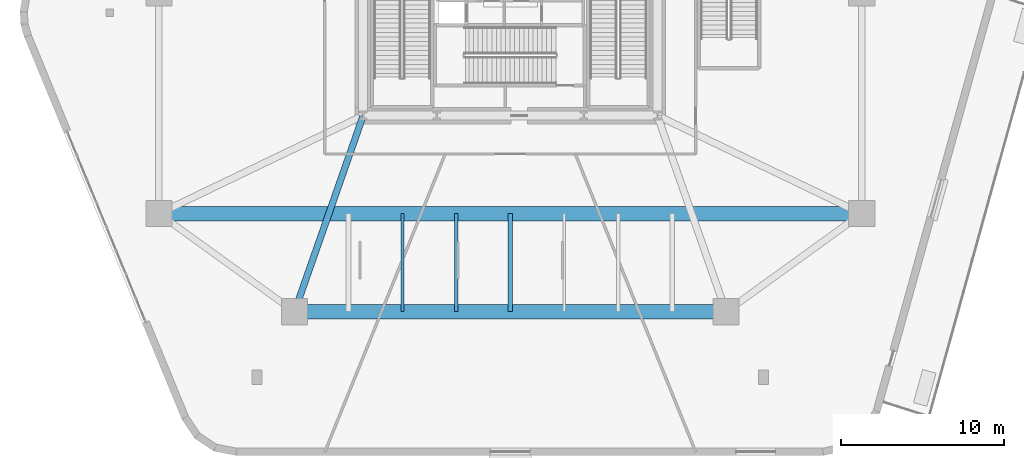
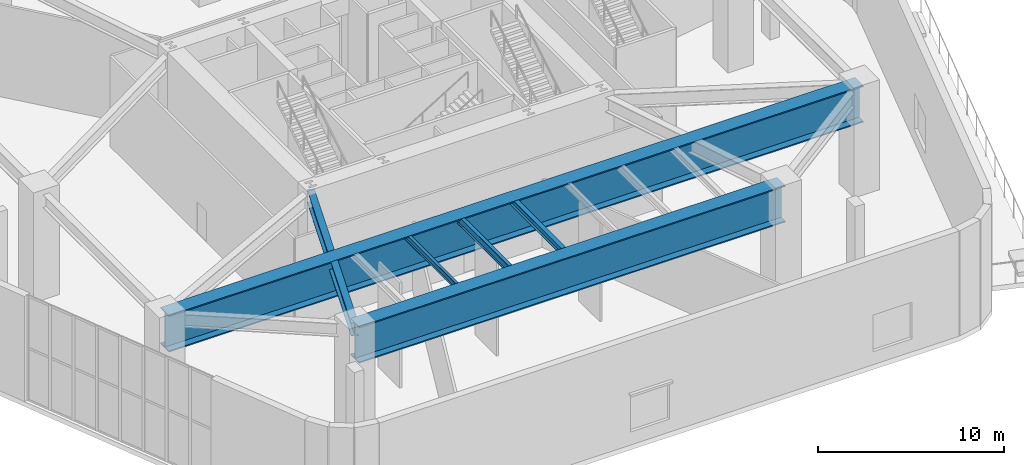
# One storey, part 3 of 17: 6 beams.
"""IFC4 building model written with IfcOpenShell, lengths in metres."""

import ifcopenshell
import ifcopenshell.guid

model = None  # the IFC model being written
_history = None  # IfcOwnerHistory: only IFC2X3 demands one
_inside = {}  # id of a spatial element -> (the spatial element, [elements in it])
_under = {}  # id of a project, library or spatial element -> (it, [spatial elements below it])
_declared = {}  # id of a project -> (the project, [libraries it declares])
_typed = {}  # id of a type object -> (the type object, [elements of that type])
_made_of = {}  # id of a material, layer set ... -> (it, [elements and type objects made of it])


def new_model(schema):
    """Start an empty IFC model of exactly this schema.

    Asked for "IFC4X3", IfcOpenShell would pick the latest addendum, in which some entities
    have other attributes; the version numbers below select the first issue.
    IFC2X3 requires an IfcOwnerHistory on every rooted entity: one is made here for all.
    """
    global model, _history
    if schema == "IFC4X3":
        model = ifcopenshell.file(schema_version=(4, 3, 0, 0))
    else:
        model = ifcopenshell.file(schema=schema)
    _inside.clear()
    _under.clear()
    _declared.clear()
    _typed.clear()
    _made_of.clear()
    _history = None
    if model.schema == "IFC2X3":
        org = make("IfcOrganization", Name="unknown")
        user = make(
            "IfcPersonAndOrganization",
            ThePerson=make("IfcPerson", FamilyName="unknown"),
            TheOrganization=org,
        )
        app = make(
            "IfcApplication",
            ApplicationDeveloper=org,
            Version="unknown",
            ApplicationFullName="unknown",
            ApplicationIdentifier="unknown",
        )
        _history = make(
            "IfcOwnerHistory",
            OwningUser=user,
            OwningApplication=app,
            ChangeAction="ADDED",
            CreationDate=0,
        )
    return model


def make(cls, **values):
    """One entity of the class cls with the attributes given. An attribute that is None is left unset."""
    return model.create_entity(
        cls, **{name: value for name, value in values.items() if value is not None}
    )


def rooted(cls, **values):
    """An entity with a GlobalId (a new one), such as an element, a storey or a relation."""
    return make(cls, GlobalId=ifcopenshell.guid.new(), OwnerHistory=_history, **values)


def si_unit(unit_type, name, prefix=None):
    """IfcSIUnit, for example si_unit("LENGTHUNIT", "METRE", prefix="MILLI")."""
    return make("IfcSIUnit", UnitType=unit_type, Prefix=prefix, Name=name)


def assignment(units):
    """IfcUnitAssignment: the units of a project."""
    return None if units is None else make("IfcUnitAssignment", Units=units)


def point(xyz):
    """IfcCartesianPoint."""
    return None if xyz is None else make("IfcCartesianPoint", Coordinates=xyz)


def direction(xyz):
    """IfcDirection."""
    return None if xyz is None else make("IfcDirection", DirectionRatios=xyz)


def frame(location, z_axis=None, x_axis=None):
    """IfcAxis2Placement3D, a coordinate frame: its origin and axes. An axis left out is left unset."""
    return make(
        "IfcAxis2Placement3D",
        Location=point(location),
        Axis=direction(z_axis),
        RefDirection=direction(x_axis),
    )


def frame_2d(location, x_axis=None):
    """IfcAxis2Placement2D, a coordinate frame in the plane: its origin and x axis."""
    return make(
        "IfcAxis2Placement2D", Location=point(location), RefDirection=direction(x_axis)
    )


def origin():
    """The frame at (0, 0, 0) with its axes left unset."""
    return frame((0.0, 0.0, 0.0))


def origin_2d():
    """The frame at (0, 0) in the plane with its x axis left unset."""
    return frame_2d((0.0, 0.0))


def place(relative_to, where):
    """IfcLocalPlacement: puts the frame where relative to a parent placement (None: the world)."""
    return make(
        "IfcLocalPlacement", PlacementRelTo=relative_to, RelativePlacement=where
    )


def context(
    kind, dimensions, precision=None, world=None, true_north=None, identifier=None
):
    """IfcGeometricRepresentationContext, for example the 3D "Model" context."""
    return make(
        "IfcGeometricRepresentationContext",
        ContextIdentifier=identifier,
        ContextType=kind,
        CoordinateSpaceDimension=dimensions,
        Precision=precision,
        WorldCoordinateSystem=world,
        TrueNorth=true_north,
    )


def subcontext(parent, identifier, kind, view, scale=None):
    """IfcGeometricRepresentationSubContext, for example "Body" below "Model"."""
    return make(
        "IfcGeometricRepresentationSubContext",
        ContextIdentifier=identifier,
        ContextType=kind,
        ParentContext=parent,
        TargetScale=scale,
        TargetView=view,
    )


def project(units=None, contexts=None):
    """IfcProject with its units and contexts."""
    return rooted(
        "IfcProject",
        Name="project",
        RepresentationContexts=contexts,
        UnitsInContext=assignment(units),
    )


def spatial(cls, under=None, at=None, **own):
    """A site, building, storey or space (cls), placed at a placement, below another one or the project."""
    s = rooted(cls, ObjectPlacement=at, **own)
    if under is not None:
        _under.setdefault(under.id(), (under, []))[1].append(s)
    return s


def profile(cls, at=None, kind="AREA", **sizes):
    """A parametric profile (cls). Its sizes go by their IFC names, for example OverallWidth=200.0."""
    return make(cls, ProfileType=kind, Position=at, **sizes)


def i_section(**sizes):
    """IfcIShapeProfileDef."""
    return profile("IfcIShapeProfileDef", **sizes)


def extrude(swept, where, along, depth):
    """IfcExtrudedAreaSolid: the profile swept, set in the frame where, extruded along a direction by depth."""
    return make(
        "IfcExtrudedAreaSolid",
        SweptArea=swept,
        Position=where,
        ExtrudedDirection=direction(along),
        Depth=depth,
    )


def shape(context_of_items, identifier, shape_type, items):
    """IfcShapeRepresentation: the items that make up one representation, for example the "Body"."""
    return make(
        "IfcShapeRepresentation",
        ContextOfItems=context_of_items,
        RepresentationIdentifier=identifier,
        RepresentationType=shape_type,
        Items=items,
    )


def material(Name=None, Category=None):
    """IfcMaterial."""
    return make("IfcMaterial", Name=Name, Category=Category)


def material_profile(
    of_material, cross_section, Name=None, Category=None, Priority=None
):
    """IfcMaterialProfile: a cross section and its material."""
    return make(
        "IfcMaterialProfile",
        Name=Name,
        Material=of_material,
        Profile=cross_section,
        Priority=Priority,
        Category=Category,
    )


def profile_set(profiles, Name=None, composite=None):
    """IfcMaterialProfileSet."""
    return make(
        "IfcMaterialProfileSet",
        Name=Name,
        MaterialProfiles=profiles,
        CompositeProfile=composite,
    )


def made_of(thing, what):
    """Note that an element or type object is made of a material, layer set ...; save() writes the relation."""
    if what is not None:
        _made_of.setdefault(what.id(), (what, []))[1].append(thing)
    return thing


def type_object(cls, material=None, **own):
    """A type object (cls), such as IfcWallType, which elements share."""
    return made_of(rooted(cls, **own), material)


def element(
    cls,
    number,
    at=None,
    inside=None,
    cuts=None,
    type_object=None,
    material=None,
    context=None,
    identifier="Body",
    shape_type=None,
    held_by="IfcProductDefinitionShape",
    body=None,
    shapes=None,
    **own,
):
    """One element of the class cls, such as IfcWall. Its Tag is "e" and its number.

    at: its placement. inside: the storey or other place that contains it. cuts: it is an
    opening in that element (IfcRelVoidsElement). A single representation is given by context,
    identifier, shape_type and body (its items); several are given by shapes. held_by: the class
    of the entity that holds the representations. save() writes the other relations.
    """
    e = rooted(cls, Tag="e%d" % number, ObjectPlacement=at, **own)
    if body is not None:
        shapes = [shape(context, identifier, shape_type, body)]
    if shapes is not None:
        e.Representation = make(held_by, Representations=shapes)
    if inside is not None:
        _inside.setdefault(inside.id(), (inside, []))[1].append(e)
    if cuts is not None:
        rooted(
            "IfcRelVoidsElement", RelatingBuildingElement=cuts, RelatedOpeningElement=e
        )
    if type_object is not None:
        _typed.setdefault(type_object.id(), (type_object, []))[1].append(e)
    return made_of(e, material)


def aggregate(whole, parts):
    """IfcRelAggregates: a whole, such as a stair, and the parts it consists of."""
    return rooted("IfcRelAggregates", RelatingObject=whole, RelatedObjects=parts)


def save(model, path):
    """Write the relations noted so far, then the file.

    IfcRelAggregates (storeys below a building ...), IfcRelContainedInSpatialStructure (elements
    in a storey), IfcRelDefinesByType, IfcRelAssociatesMaterial and IfcRelDeclares: one each for
    every whole, place, type object, material and project.
    """
    for whole, parts in _under.values():
        aggregate(whole, parts)
    for where, things in _inside.values():
        rooted(
            "IfcRelContainedInSpatialStructure",
            RelatedElements=things,
            RelatingStructure=where,
        )
    for kind, things in _typed.values():
        rooted("IfcRelDefinesByType", RelatedObjects=things, RelatingType=kind)
    for what, things in _made_of.values():
        rooted("IfcRelAssociatesMaterial", RelatedObjects=things, RelatingMaterial=what)
    for by, libraries in _declared.values():
        rooted("IfcRelDeclares", RelatingContext=by, RelatedDefinitions=libraries)
    model.write(path)


model = new_model("IFC4")

# Units and contexts
model_context = context("Model", 3, precision=1e-05, world=origin(), true_north=direction((0.0, 1.0)))
body_context = subcontext(model_context, "Body", "Model", "MODEL_VIEW")
ifc_project = project(units=[si_unit("LENGTHUNIT", "METRE"), si_unit("AREAUNIT", "SQUARE_METRE"), si_unit("VOLUMEUNIT", "CUBIC_METRE"), si_unit("PLANEANGLEUNIT", "RADIAN"), si_unit("MASSUNIT", "GRAM", prefix="KILO")], contexts=[model_context])

# Site, building, storey
site_placement = place(None, origin())
site = spatial("IfcSite", under=ifc_project, at=site_placement, CompositionType="ELEMENT")
building_placement = place(site_placement, origin())
building = spatial("IfcBuilding", under=site, at=building_placement, Name="Kilnhurst Terrace Hotel", CompositionType="ELEMENT")
storey_placement = place(building_placement, frame((0.0, 0.0, 11.39990234375)))
storey = spatial("IfcBuildingStorey", under=building, at=storey_placement, Name="L02", CompositionType="ELEMENT", Elevation=11.39990234375)

# Beams
ifc_material_1 = material(Name="Steel ASTM A992 Grade 50", Category="steel")
ifc_material_profile_1 = material_profile(ifc_material_1, i_section(OverallWidth=0.39990234375, OverallDepth=0.85546875, WebThickness=0.018310546875, FlangeThickness=0.029296875, at=origin_2d()), Name="W33X201")
ifc_profile_set_1 = profile_set([ifc_material_profile_1], Name="Steel ASTM A992 Grade 50")
beam_type_1 = type_object("IfcBeamType", Name="BM-STL-W33X201", PredefinedType="BEAM", material=ifc_profile_set_1)
beam_1_placement = place(storey_placement, frame((-13.199951171875, -19.5, 6.4521484375), z_axis=(0.330347003279, 0.943859553866, 0.0), x_axis=(-0.943859553866, 0.330347003279, 0.0)))
element("IfcBeam", 1, at=beam_1_placement, inside=storey, type_object=beam_type_1, Name="L02 Podium Frame Beam 15", PredefinedType="BEAM", context=body_context, shape_type="SweptSolid", body=[
    extrude(i_section(OverallWidth=0.39990234375, OverallDepth=0.85546875, WebThickness=0.018310546875, FlangeThickness=0.029296875, at=origin_2d()), origin(), (0.0, 0.0, 1.0), 12.7138671875),
])
ifc_material_profile_2 = material_profile(ifc_material_1, i_section(OverallWidth=0.180908203125, OverallDepth=0.417236328125, WebThickness=0.010986328125, FlangeThickness=0.018310546875, at=origin_2d()), Name="W16X57")
ifc_profile_set_2 = profile_set([ifc_material_profile_2], Name="Steel ASTM A992 Grade 50")
beam_type_2 = type_object("IfcBeamType", Name="JST-STL-W16X57", PredefinedType="JOIST", material=ifc_profile_set_2)
beam_2_placement = place(storey_placement, frame((-6.60009765625, -19.5, 6.671142578125), z_axis=(0.0, 1.0, 0.0), x_axis=(-1.0, 0.0, 0.0)))
element("IfcBeam", 2, at=beam_2_placement, inside=storey, type_object=beam_type_2, Name="L02 Ballroom Long-Span Secondary Joist 2", PredefinedType="JOIST", context=body_context, shape_type="SweptSolid", body=[
    extrude(i_section(OverallWidth=0.180908203125, OverallDepth=0.417236328125, WebThickness=0.010986328125, FlangeThickness=0.018310546875, at=origin_2d()), origin(), (0.0, 0.0, 1.0), 6.0),
])
ifc_material_profile_3 = material_profile(ifc_material_1, i_section(OverallWidth=0.279296875, OverallDepth=0.462890625, WebThickness=0.0107421875, FlangeThickness=0.017333984375, at=origin_2d()), Name="W18X76")
ifc_profile_set_3 = profile_set([ifc_material_profile_3], Name="Steel ASTM A992 Grade 50")
beam_type_3 = type_object("IfcBeamType", Name="JST-STL-W18X76", PredefinedType="JOIST", material=ifc_profile_set_3)
beam_3_placement = place(storey_placement, frame((0.0, -19.5, 6.648193359375), z_axis=(0.0, 1.0, 0.0), x_axis=(-1.0, 0.0, 0.0)))
element("IfcBeam", 3, at=beam_3_placement, inside=storey, type_object=beam_type_3, Name="L02 Ballroom Long-Span Secondary Joist 4", PredefinedType="JOIST", context=body_context, shape_type="SweptSolid", body=[
    extrude(i_section(OverallWidth=0.279296875, OverallDepth=0.462890625, WebThickness=0.0107421875, FlangeThickness=0.017333984375, at=origin_2d()), origin(), (0.0, 0.0, 1.0), 6.0),
])
ifc_material_profile_4 = material_profile(ifc_material_1, i_section(OverallWidth=0.2138671875, OverallDepth=0.549072265625, WebThickness=0.0146484375, FlangeThickness=0.023681640625, at=origin_2d()), Name="W21X93")
ifc_profile_set_4 = profile_set([ifc_material_profile_4], Name="Steel ASTM A992 Grade 50")
beam_type_4 = type_object("IfcBeamType", Name="JST-STL-W21X93", PredefinedType="JOIST", material=ifc_profile_set_4)
beam_4_placement = place(storey_placement, frame((-3.300048828125, -19.5, 6.60498046875), z_axis=(0.0, 1.0, 0.0), x_axis=(-1.0, 0.0, 0.0)))
element("IfcBeam", 4, at=beam_4_placement, inside=storey, type_object=beam_type_4, Name="L02 Ballroom Long-Span Secondary Joist 3", PredefinedType="JOIST", context=body_context, shape_type="SweptSolid", body=[
    extrude(i_section(OverallWidth=0.2138671875, OverallDepth=0.549072265625, WebThickness=0.0146484375, FlangeThickness=0.023681640625, at=origin_2d()), origin(), (0.0, 0.0, 1.0), 6.0),
])
ifc_material_2 = material(Name="Steel ASTM A572 Grade 50", Category="steel")
ifc_material_profile_5 = material_profile(ifc_material_2, i_section(OverallWidth=0.89990234375, OverallDepth=2.39990234375, WebThickness=0.044921875, FlangeThickness=0.074951171875, at=origin_2d()), Name="PG2400X900")
ifc_profile_set_5 = profile_set([ifc_material_profile_5], Name="Steel ASTM A572 Grade 50")
beam_type_5 = type_object("IfcBeamType", Name="TG-BALL-2400", PredefinedType="USERDEFINED", material=ifc_profile_set_5)
beam_5_placement = place(storey_placement, frame((-13.199951171875, -19.5, 5.68017578125), z_axis=(1.0, 0.0, 0.0), x_axis=(0.0, 1.0, 0.0)))
element("IfcBeam", 5, at=beam_5_placement, inside=storey, type_object=beam_type_5, Name="L02 Ballroom Roof Transfer Plate Girder 1", ObjectType="GIRDER", PredefinedType="USERDEFINED", context=body_context, shape_type="SweptSolid", body=[
    extrude(i_section(OverallWidth=0.89990234375, OverallDepth=2.39990234375, WebThickness=0.044921875, FlangeThickness=0.074951171875, at=origin_2d()), origin(), (0.0, 0.0, 1.0), 26.39990234375),
])
beam_6_placement = place(storey_placement, frame((-21.5, -13.5, 5.68017578125), z_axis=(1.0, 0.0, 0.0), x_axis=(0.0, 1.0, 0.0)))
element("IfcBeam", 6, at=beam_6_placement, inside=storey, type_object=beam_type_5, Name="L02 Ballroom Roof Transfer Plate Girder 2", ObjectType="GIRDER", PredefinedType="USERDEFINED", context=body_context, shape_type="SweptSolid", body=[
    extrude(i_section(OverallWidth=0.89990234375, OverallDepth=2.39990234375, WebThickness=0.044921875, FlangeThickness=0.074951171875, at=origin_2d()), origin(), (0.0, 0.0, 1.0), 43.0),
])

save(model, "model.ifc")
